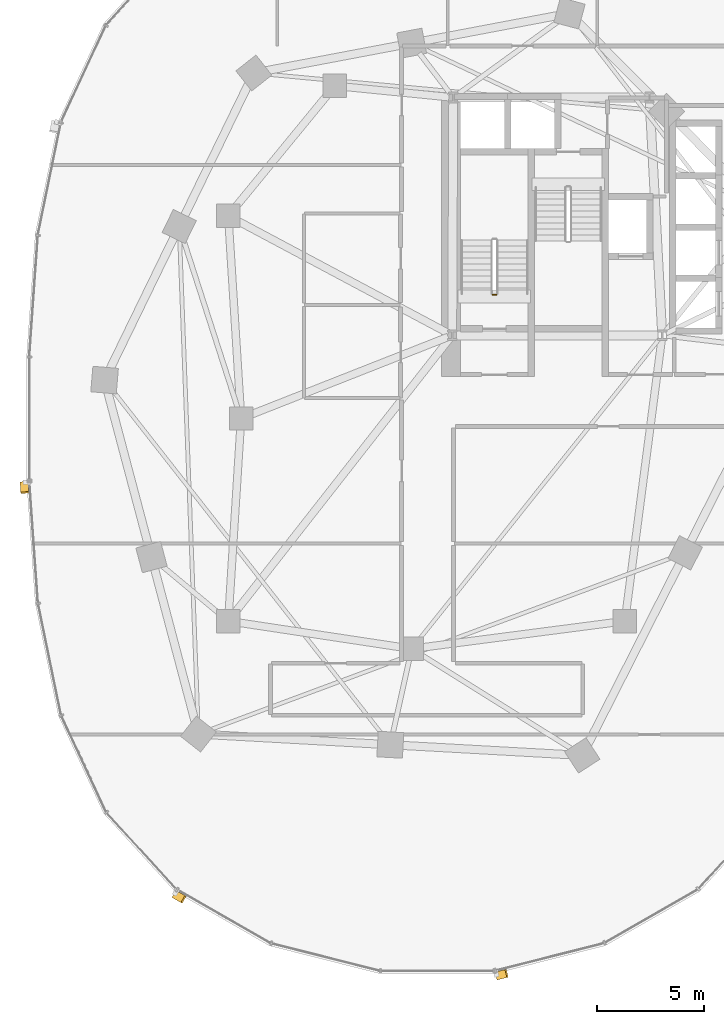
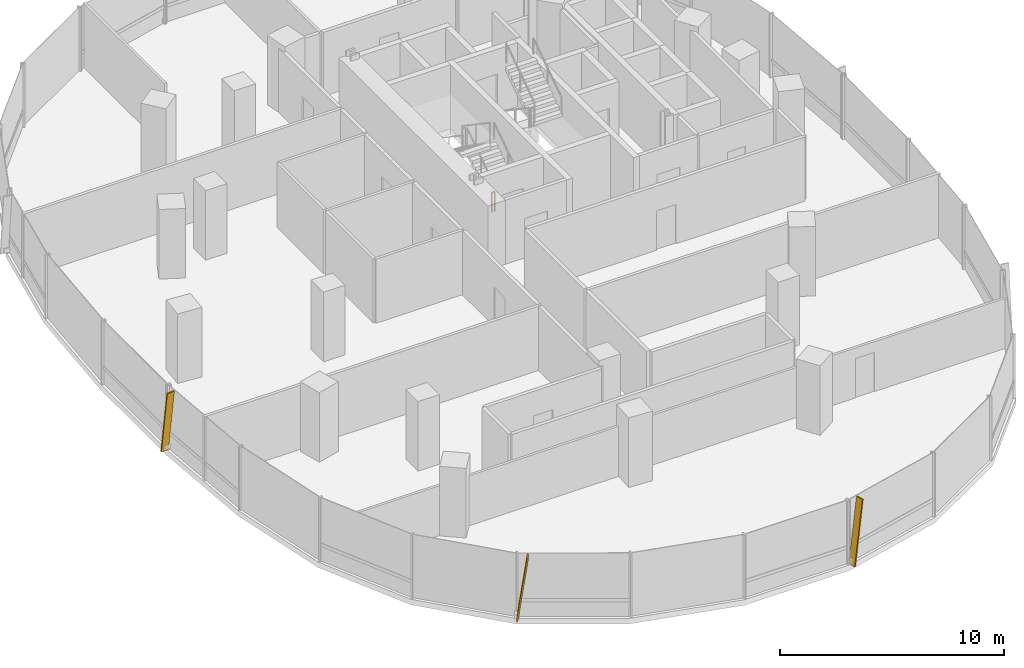
# One storey, part 17 of 21: 3 shading devices, 1 railing.
"""IFC4 building model written with IfcOpenShell, lengths in metres."""

from ifc_helpers import new_model, si_unit, direction, frame, origin, origin_2d, place, context, subcontext, project, spatial, rectangle, extrude, material, material_profile, profile_set, type_object, element, save


model = new_model("IFC4")

# Units and contexts
model_context = context("Model", 3, precision=1e-05, world=origin(), true_north=direction((0.0, 1.0)))
body_context = subcontext(model_context, "Body", "Model", "MODEL_VIEW")
ifc_project = project(units=[si_unit("LENGTHUNIT", "METRE"), si_unit("AREAUNIT", "SQUARE_METRE"), si_unit("VOLUMEUNIT", "CUBIC_METRE"), si_unit("PLANEANGLEUNIT", "RADIAN"), si_unit("MASSUNIT", "GRAM", prefix="KILO"), si_unit("THERMODYNAMICTEMPERATUREUNIT", "KELVIN"), si_unit("POWERUNIT", "WATT")], contexts=[model_context])

# Site, building, storey
site_placement = place(None, origin())
site = spatial("IfcSite", under=ifc_project, at=site_placement, CompositionType="ELEMENT")
building_placement = place(site_placement, origin())
building = spatial("IfcBuilding", under=site, at=building_placement, Name="Cundina Bronze Exchange", CompositionType="ELEMENT")
storey_placement = place(building_placement, frame((0.0, 0.0, 62.0)))
storey = spatial("IfcBuildingStorey", under=building, at=storey_placement, Name="L15", CompositionType="ELEMENT", Elevation=62.0)

# Railing
ifc_material_1 = material(Name="Steel ASTM A36 Painted", Category="steel")
railing_type = type_object("IfcRailingType", Name="RLG-STG-1100", PredefinedType="GUARDRAIL", material=ifc_material_1)
railing_placement = place(storey_placement, frame((-29.239990234375, 5.800048828125, 0.0)))
element("IfcRailing", 1, at=railing_placement, inside=storey, type_object=railing_type, Name="L15 ST-W1 stair guard 4", PredefinedType="GUARDRAIL", context=body_context, shape_type="SweptSolid", body=[
    extrude(rectangle(XDim=0.048095703125, YDim=0.048095703125, at=origin_2d()), frame((0.0, 0.0, 1.076171875), z_axis=(-1.0, 0.0, 0.0), x_axis=(0.0, -1.0, 0.0)), (0.0, 0.0, 1.0), 0.159912109375),
    extrude(rectangle(XDim=0.0419921875, YDim=0.0419921875, at=origin_2d()), origin(), (0.0, 0.0, 1.0), 1.052001953125),
    extrude(rectangle(XDim=0.0419921875, YDim=0.0419921875, at=origin_2d()), frame((-0.159912109375, 0.0, 0.0)), (0.0, 0.0, 1.0), 1.052001953125),
])

# Shading devices
ifc_material_2 = material(Name="Anodised Bronze Aluminium 6063-T6", Category="aluminium")
ifc_material_profile = material_profile(ifc_material_2, rectangle(XDim=0.070068359375, YDim=0.3798828125, at=origin_2d()), Name="FIN70X380", Category="aluminium")
ifc_profile_set = profile_set([ifc_material_profile], Name="Anodised Bronze Aluminium 6063-T6")
shading_device_type = type_object("IfcShadingDeviceType", Name="SHD-FIN-BRZ380", PredefinedType="USERDEFINED", material=ifc_profile_set)
for number, where, z_axis, x_axis, name in (
    (2, (-51.3740234375, -2.993896484375, 0.02001953125), (0.009645159174, -0.137059109714, 0.990515911709), (-0.06953288269, 0.988072340253, 0.137398066402), "L15 Diagonal Bronze Solar Fin 1"),
    (3, (-44.314208984375, -22.314208984375, 0.02001953125), (0.119166378275, -0.06842456559, 0.990513731915), (-0.85898178632, 0.493221799887, 0.137413779831), "L15 Diagonal Bronze Solar Fin 5"),
    (4, (-29.212646484375, -26.138427734375, 0.02001953125), (0.133214830938, 0.033688115694, 0.990514472221), (-0.960284642503, -0.242842181368, 0.137408443412), "L15 Diagonal Bronze Solar Fin 1"),
):
    element("IfcShadingDevice", number, at=place(storey_placement, frame(where, z_axis=z_axis, x_axis=x_axis)), inside=storey, type_object=shading_device_type, Name=name, ObjectType="FIN", PredefinedType="USERDEFINED", context=body_context, shape_type="SweptSolid", body=[
        extrude(rectangle(XDim=0.070068359375, YDim=0.3798828125, at=origin_2d()), origin(), (0.0, 0.0, 1.0), 3.4931640625),
    ])

save(model, "model.ifc")
